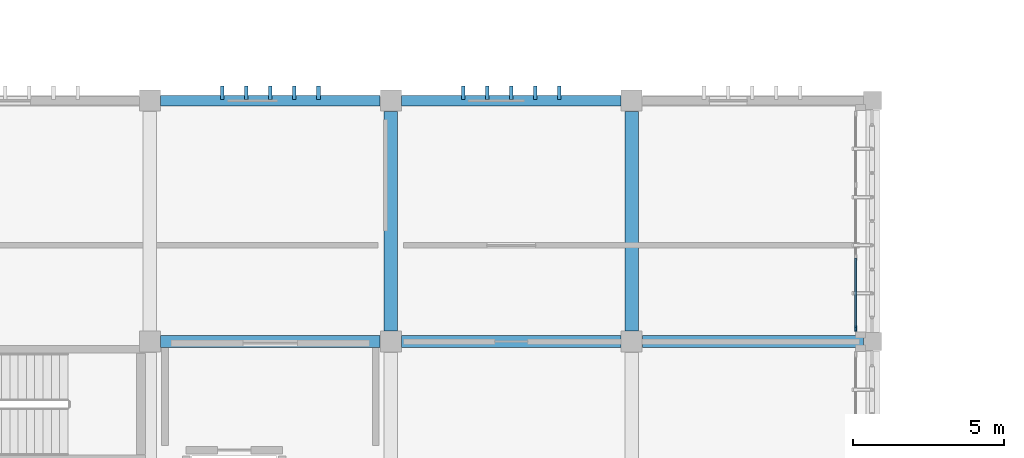
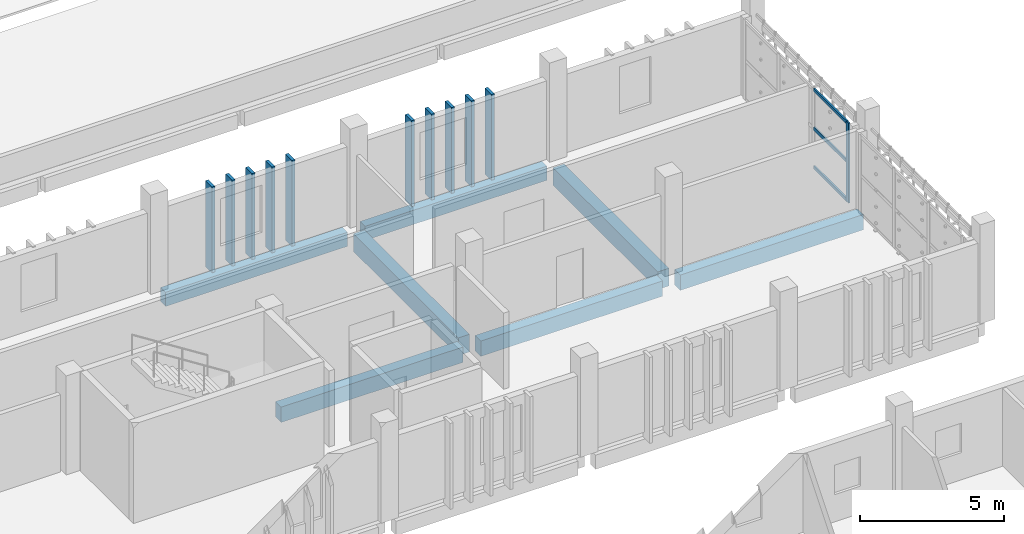
# One storey, part 70 of 137: 14 members, 7 beams, 1 element without a shape of its own.
"""IFC4 building model written with IfcOpenShell, lengths in metres."""

from ifc_helpers import new_model, si_unit, direction, frame, origin, origin_2d, place, context, subcontext, project, spatial, rectangle, extrude, material, layer, layer_set, material_profile, profile_set, type_object, element, aggregate, save


model = new_model("IFC4")

# Units and contexts
model_context = context("Model", 3, precision=1e-05, world=origin(), true_north=direction((0.0, 1.0)))
body_context = subcontext(model_context, "Body", "Model", "MODEL_VIEW")
ifc_project = project(units=[si_unit("LENGTHUNIT", "METRE"), si_unit("AREAUNIT", "SQUARE_METRE"), si_unit("VOLUMEUNIT", "CUBIC_METRE"), si_unit("PLANEANGLEUNIT", "RADIAN"), si_unit("MASSUNIT", "GRAM", prefix="KILO")], contexts=[model_context])

# Site, building, storey
site_placement = place(None, origin())
site = spatial("IfcSite", under=ifc_project, at=site_placement, CompositionType="ELEMENT")
building_placement = place(site_placement, origin())
building = spatial("IfcBuilding", under=site, at=building_placement, Name="Jelvoka-Kovrelna Polytechnic", CompositionType="ELEMENT")
storey_placement = place(building_placement, frame((0.0, 0.0, 9.60009765625)))
storey = spatial("IfcBuildingStorey", under=building, at=storey_placement, Name="L03", CompositionType="ELEMENT", Elevation=9.60009765625)

# Beams
ifc_material_1 = material(Name="Concrete C40/50", Category="concrete")
ifc_material_profile_1 = material_profile(ifc_material_1, rectangle(XDim=0.39990234375, YDim=0.64990234375, at=origin_2d()), Name="RC 400x650")
ifc_profile_set_1 = profile_set([ifc_material_profile_1], Name="Concrete C40/50")
beam_type_1 = type_object("IfcBeamType", Name="Beam_RC_400x650", PredefinedType="BEAM", material=ifc_profile_set_1)
for number, where, z_axis, x_axis, name in (
    (1, (168.35498046875, 64.0, -0.590087890625), (1.0, 0.0, 0.0), (0.0, 1.0, 0.0), "L03 beam 1055"),
    (2, (176.35498046875, 64.0, -0.590087890625), (1.0, 0.0, 0.0), (0.0, 1.0, 0.0), "L03 beam 1056"),
):
    element("IfcBeam", number, at=place(storey_placement, frame(where, z_axis=z_axis, x_axis=x_axis)), inside=storey, type_object=beam_type_1, Name=name, PredefinedType="BEAM", context=body_context, shape_type="SweptSolid", body=[
        extrude(rectangle(XDim=0.39990234375, YDim=0.64990234375, at=origin_2d()), origin(), (0.0, 0.0, 1.0), 7.2900390625),
    ])
beam_placement = place(storey_placement, frame((184.35498046875, 64.0, -0.590087890625), z_axis=(1.0, 0.0, 0.0), x_axis=(0.0, 1.0, 0.0)))
element("IfcBeam", 3, at=beam_placement, inside=storey, type_object=beam_type_1, Name="L03 beam 1057", PredefinedType="BEAM", context=body_context, shape_type="SweptSolid", body=[
    extrude(rectangle(XDim=0.39990234375, YDim=0.64990234375, at=origin_2d()), origin(), (0.0, 0.0, 1.0), 7.340087890625),
])
ifc_material_2 = material(Name="Concrete C40/50", Category="concrete")
ifc_material_profile_2 = material_profile(ifc_material_2, rectangle(XDim=0.449951171875, YDim=0.75, at=origin_2d()), Name="RC 450x750")
ifc_profile_set_2 = profile_set([ifc_material_profile_2], Name="Concrete C40/50")
beam_type_2 = type_object("IfcBeamType", Name="Beam_RC_450x750", PredefinedType="BEAM", material=ifc_profile_set_2)
for number, where, z_axis, x_axis, name in (
    (4, (176.0, 64.35498046875, -0.64013671875), (0.0, 1.0, 0.0), (-1.0, 0.0, 0.0), "L03 beam 1083"),
    (5, (184.0, 64.35498046875, -0.64013671875), (0.0, 1.0, 0.0), (-1.0, 0.0, 0.0), "L03 beam 1085"),
):
    element("IfcBeam", number, at=place(storey_placement, frame(where, z_axis=z_axis, x_axis=x_axis)), inside=storey, type_object=beam_type_2, Name=name, PredefinedType="BEAM", context=body_context, shape_type="SweptSolid", body=[
        extrude(rectangle(XDim=0.449951171875, YDim=0.75, at=origin_2d()), origin(), (0.0, 0.0, 1.0), 7.2900390625),
    ])

# Members
ifc_material_3 = material(Name="Precast concrete C40/50", Category="concrete")
ifc_material_profile_3 = material_profile(ifc_material_3, rectangle(XDim=0.1201171875, YDim=0.449951171875, at=origin_2d()), Name="PC 120x450")
ifc_profile_set_3 = profile_set([ifc_material_profile_3], Name="Precast concrete C40/50")
member_type_1 = type_object("IfcMemberType", Name="Louvre_Fin_120x450", PredefinedType="USERDEFINED", material=ifc_profile_set_3)
for number, where, z_axis, x_axis, name in (
    (6, (170.39990234375, 72.264892578125, -0.27001953125), (0.0, 0.0, 1.0), (1.0, 0.0, 0.0), "L03 B3 north vertical solar louvre fin 1596"),
    (7, (171.199951171875, 72.264892578125, -0.27001953125), (0.0, 0.0, 1.0), (1.0, 0.0, 0.0), "L03 B3 north vertical solar louvre fin 1597"),
    (8, (172.0, 72.264892578125, -0.27001953125), (0.0, 0.0, 1.0), (1.0, 0.0, 0.0), "L03 B3 north vertical solar louvre fin 1598"),
    (9, (172.800048828125, 72.264892578125, -0.27001953125), (0.0, 0.0, 1.0), (1.0, 0.0, 0.0), "L03 B3 north vertical solar louvre fin 1599"),
    (10, (173.60009765625, 72.264892578125, -0.27001953125), (0.0, 0.0, 1.0), (1.0, 0.0, 0.0), "L03 B3 north vertical solar louvre fin 1600"),
    (11, (178.39990234375, 72.264892578125, -0.27001953125), (0.0, 0.0, 1.0), (1.0, 0.0, 0.0), "L03 B3 north vertical solar louvre fin 1606"),
    (12, (179.199951171875, 72.264892578125, -0.27001953125), (0.0, 0.0, 1.0), (1.0, 0.0, 0.0), "L03 B3 north vertical solar louvre fin 1607"),
    (13, (180.0, 72.264892578125, -0.27001953125), (0.0, 0.0, 1.0), (1.0, 0.0, 0.0), "L03 B3 north vertical solar louvre fin 1608"),
    (14, (180.800048828125, 72.264892578125, -0.27001953125), (0.0, 0.0, 1.0), (1.0, 0.0, 0.0), "L03 B3 north vertical solar louvre fin 1609"),
    (15, (181.60009765625, 72.264892578125, -0.27001953125), (0.0, 0.0, 1.0), (1.0, 0.0, 0.0), "L03 B3 north vertical solar louvre fin 1610"),
):
    element("IfcMember", number, at=place(storey_placement, frame(where, z_axis=z_axis, x_axis=x_axis)), inside=storey, type_object=member_type_1, Name=name, ObjectType="SUNSHADE", PredefinedType="USERDEFINED", context=body_context, shape_type="SweptSolid", body=[
        extrude(rectangle(XDim=0.1201171875, YDim=0.449951171875, at=origin_2d()), origin(), (0.0, 0.0, 1.0), 3.64501953125),
    ])

# Curtain wall, member
ifc_material_4 = material(Name="Anodised aluminium 6063-T6", Category="aluminium")
ifc_layer = layer(ifc_material_4, 0.179931640625)
ifc_layer_set = layer_set([ifc_layer], Name="Anodised aluminium 6063-T6")
curtain_wall_type = type_object("IfcCurtainWallType", Name="CW_Recessed_B", PredefinedType="NOTDEFINED", material=ifc_layer_set)
curtain_wall_placement = place(storey_placement, origin())
curtain_wall = element("IfcCurtainWall", 16, at=curtain_wall_placement, inside=storey, type_object=curtain_wall_type, Name="L03 glazed curtain wall 086", PredefinedType="NOTDEFINED")
ifc_material_5 = material(Name="Anodised aluminium 6063-T6", Category="aluminium")
ifc_material_profile_4 = material_profile(ifc_material_5, rectangle(XDim=0.06494140625, YDim=0.179931640625, at=origin_2d()), Name="ALU 65x180")
ifc_profile_set_4 = profile_set([ifc_material_profile_4], Name="Anodised aluminium 6063-T6")
member_type_2 = type_object("IfcMemberType", Name="Mullion_M-02", PredefinedType="MULLION", material=ifc_profile_set_4)
member_1_placement = place(storey_placement, frame((191.43994140625, 64.4326171875, -0.02490234375), z_axis=(0.0, 0.0, 1.0), x_axis=(1.0, 0.0, 0.0)))
member_1 = element("IfcMember", 17, at=member_1_placement, type_object=member_type_2, Name="CW-02 mullion 4", PredefinedType="MULLION", context=body_context, shape_type="SweptSolid", body=[
    extrude(rectangle(XDim=0.06494140625, YDim=0.179931640625, at=origin_2d()), origin(), (0.0, 0.0, 1.0), 3.39990234375),
])

# Beams
ifc_material_6 = material(Name="Concrete C40/50", Category="concrete")
ifc_material_profile_5 = material_profile(ifc_material_6, rectangle(XDim=0.35009765625, YDim=0.60009765625, at=origin_2d()), Name="RC 350x600")
ifc_profile_set_5 = profile_set([ifc_material_profile_5], Name="Concrete C40/50")
beam_type_3 = type_object("IfcBeamType", Name="Spandrel_RC_350x600", PredefinedType="SPANDREL", material=ifc_profile_set_5)
for number, where, z_axis, x_axis, name in (
    (18, (168.35498046875, 72.0, -0.565185546875), (1.0, 0.0, 0.0), (0.0, 1.0, 0.0), "L03 beam 1065"),
    (19, (176.35498046875, 72.0, -0.565185546875), (1.0, 0.0, 0.0), (0.0, 1.0, 0.0), "L03 beam 1066"),
):
    element("IfcBeam", number, at=place(storey_placement, frame(where, z_axis=z_axis, x_axis=x_axis)), inside=storey, type_object=beam_type_3, Name=name, PredefinedType="SPANDREL", context=body_context, shape_type="SweptSolid", body=[
        extrude(rectangle(XDim=0.35009765625, YDim=0.60009765625, at=origin_2d()), origin(), (0.0, 0.0, 1.0), 7.2900390625),
    ])

# Member
ifc_material_7 = material(Name="Anodised aluminium 6063-T6", Category="aluminium")
ifc_material_profile_6 = material_profile(ifc_material_7, rectangle(XDim=0.06494140625, YDim=0.135009765625, at=origin_2d()), Name="ALU 65x135")
ifc_profile_set_6 = profile_set([ifc_material_profile_6], Name="Anodised aluminium 6063-T6")
member_type_3 = type_object("IfcMemberType", Name="Transom_T-02", PredefinedType="USERDEFINED", material=ifc_profile_set_6)
member_2_placement = place(storey_placement, frame((191.43994140625, 66.767578125, 0.032470703125), z_axis=(0.0, -1.0, 0.0), x_axis=(1.0, 0.0, 0.0)))
member_2 = element("IfcMember", 20, at=member_2_placement, type_object=member_type_3, Name="CW-02 transom 3.1", ObjectType="TRANSOM", PredefinedType="USERDEFINED", context=body_context, shape_type="SweptSolid", body=[
    extrude(rectangle(XDim=0.06494140625, YDim=0.135009765625, at=origin_2d()), origin(), (0.0, 0.0, 1.0), 2.302490234375),
])

member_3_placement = place(storey_placement, frame((191.43994140625, 66.767578125, 1.6748046875), z_axis=(0.0, -1.0, 0.0), x_axis=(1.0, 0.0, 0.0)))
member_3 = element("IfcMember", 21, at=member_3_placement, type_object=member_type_3, Name="CW-02 transom 3.2", ObjectType="TRANSOM", PredefinedType="USERDEFINED", context=body_context, shape_type="SweptSolid", body=[
    extrude(rectangle(XDim=0.06494140625, YDim=0.135009765625, at=origin_2d()), origin(), (0.0, 0.0, 1.0), 2.302490234375),
])

member_4_placement = place(storey_placement, frame((191.43994140625, 66.767578125, 3.3173828125), z_axis=(0.0, -1.0, 0.0), x_axis=(1.0, 0.0, 0.0)))
member_4 = element("IfcMember", 22, at=member_4_placement, type_object=member_type_3, Name="CW-02 transom 3.3", ObjectType="TRANSOM", PredefinedType="USERDEFINED", context=body_context, shape_type="SweptSolid", body=[
    extrude(rectangle(XDim=0.06494140625, YDim=0.135009765625, at=origin_2d()), origin(), (0.0, 0.0, 1.0), 2.302490234375),
])

aggregate(curtain_wall, [member_1, member_2, member_3, member_4])

save(model, "model.ifc")
